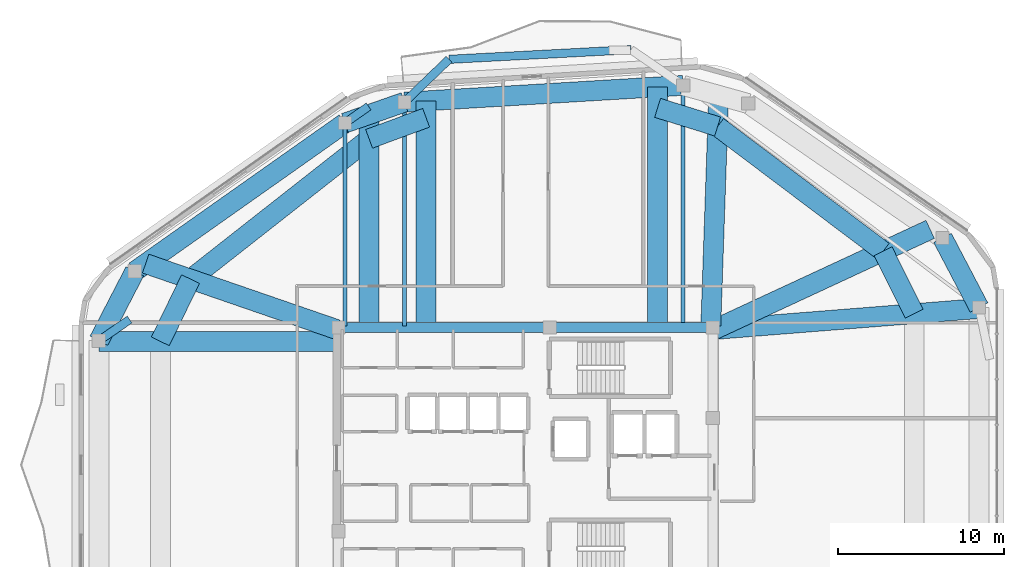
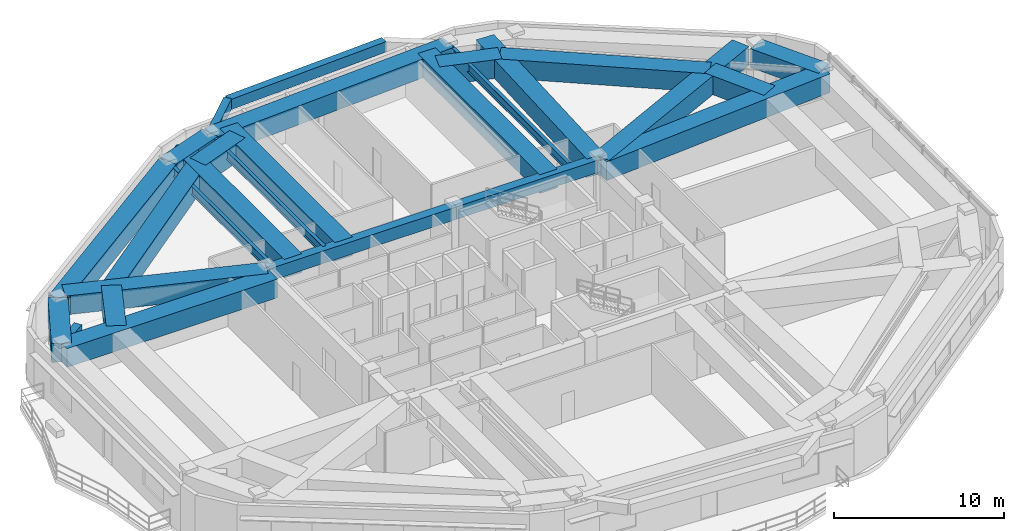
# One storey, part 6 of 15: 28 beams.
"""IFC4 building model written with IfcOpenShell, lengths in metres."""

from ifc_helpers import new_model, si_unit, direction, frame, origin, origin_2d, place, context, subcontext, project, spatial, rectangle, i_section, extrude, material, material_profile, profile_set, type_object, element, save


model = new_model("IFC4")

# Units and contexts
model_context = context("Model", 3, precision=1e-05, world=origin(), true_north=direction((0.0, 1.0)))
body_context = subcontext(model_context, "Body", "Model", "MODEL_VIEW")
ifc_project = project(units=[si_unit("LENGTHUNIT", "METRE"), si_unit("AREAUNIT", "SQUARE_METRE"), si_unit("VOLUMEUNIT", "CUBIC_METRE"), si_unit("PLANEANGLEUNIT", "RADIAN"), si_unit("MASSUNIT", "GRAM", prefix="KILO")], contexts=[model_context])

# Site, building, storey
site_placement = place(None, origin())
site = spatial("IfcSite", under=ifc_project, at=site_placement, CompositionType="ELEMENT")
building_placement = place(site_placement, origin())
building = spatial("IfcBuilding", under=site, at=building_placement, Name="Zulverin Broadcast Headquarters", CompositionType="ELEMENT")
storey_placement = place(building_placement, frame((0.0, 0.0, 270.60009765625)))
storey = spatial("IfcBuildingStorey", under=building, at=storey_placement, Name="L69", CompositionType="ELEMENT", Elevation=270.60009765625)

# Beams
ifc_material_1 = material(Name="Concrete C60/75", Category="concrete")
ifc_material_profile_1 = material_profile(ifc_material_1, rectangle(XDim=0.60009765625, YDim=0.89990234375, at=origin_2d()), Name="Concrete C60/75", Category="concrete")
ifc_profile_set_1 = profile_set([ifc_material_profile_1], Name="Concrete C60/75")
beam_type_1 = type_object("IfcBeamType", Name="BM-CB-600x900", PredefinedType="LINTEL", material=ifc_profile_set_1)
beam_1_placement = place(storey_placement, frame((48.27490234375, 33.074951171875, 3.08984375), z_axis=(-1.0, 0.0, 0.0), x_axis=(0.0, -1.0, 0.0)))
element("IfcBeam", 1, at=beam_1_placement, inside=storey, type_object=beam_type_1, Name="L69 Core Coupling Girder K05-K06", PredefinedType="LINTEL", context=body_context, shape_type="SweptSolid", body=[
    extrude(rectangle(XDim=0.60009765625, YDim=0.89990234375, at=origin_2d()), origin(), (0.0, 0.0, 1.0), 9.824951171875),
])
beam_2_placement = place(storey_placement, frame((38.449951171875, 33.074951171875, 3.08984375), z_axis=(-1.0, 0.0, 0.0), x_axis=(0.0, -1.0, 0.0)))
element("IfcBeam", 2, at=beam_2_placement, inside=storey, type_object=beam_type_1, Name="L69 Core Coupling Girder K06-K07", PredefinedType="LINTEL", context=body_context, shape_type="SweptSolid", body=[
    extrude(rectangle(XDim=0.60009765625, YDim=0.89990234375, at=origin_2d()), origin(), (0.0, 0.0, 1.0), 12.724853515625),
])
ifc_material_2 = material(Name="Concrete C40/50", Category="concrete")
ifc_material_profile_2 = material_profile(ifc_material_2, rectangle(XDim=0.5, YDim=0.75, at=origin_2d()), Name="Concrete C40/50", Category="concrete")
ifc_profile_set_2 = profile_set([ifc_material_profile_2], Name="Concrete C40/50")
beam_type_2 = type_object("IfcBeamType", Name="BM-RC-500x750", PredefinedType="BEAM", material=ifc_profile_set_2)
beam_3_placement = place(storey_placement, frame((26.11474609375, 45.383544921875, 3.164794921875), z_axis=(0.819961805595, 0.572418236402, 0.0), x_axis=(-0.572418236402, 0.819961805595, 0.0)))
element("IfcBeam", 3, at=beam_3_placement, inside=storey, type_object=beam_type_2, Name="L70 Plate Overhang Back-Spanned Beam OVR-11", PredefinedType="BEAM", context=body_context, shape_type="SweptSolid", body=[
    extrude(rectangle(XDim=0.5, YDim=0.75, at=origin_2d()), origin(), (0.0, 0.0, 1.0), 1.74267578125),
])
beam_4_placement = place(storey_placement, frame((11.300048828125, 32.275390625, 3.164794921875), z_axis=(0.823848353758, 0.566810276909, 0.0), x_axis=(-0.566810276909, 0.823848353758, 0.0)))
element("IfcBeam", 4, at=beam_4_placement, inside=storey, type_object=beam_type_2, Name="L70 Plate Overhang Back-Spanned Beam OVR-13", PredefinedType="BEAM", context=body_context, shape_type="SweptSolid", body=[
    extrude(rectangle(XDim=0.5, YDim=0.75, at=origin_2d()), origin(), (0.0, 0.0, 1.0), 2.245361328125),
])
beam_5_placement = place(storey_placement, frame((29.70068359375, 46.64111328125, 3.164794921875), z_axis=(0.721456800664, 0.692459446304, 0.0), x_axis=(-0.692459446304, 0.721456800664, 0.0)))
element("IfcBeam", 5, at=beam_5_placement, inside=storey, type_object=beam_type_2, Name="L70 Balcony Column-Framed Cantilever BAL_N-2", PredefinedType="BEAM", context=body_context, shape_type="SweptSolid", body=[
    extrude(rectangle(XDim=0.5, YDim=0.75, at=origin_2d()), origin(), (0.0, 0.0, 1.0), 3.721435546875),
])
beam_6_placement = place(storey_placement, frame((43.34912109375, 49.7998046875, 3.164794921875), z_axis=(-0.99859500758, -0.052990667447, 0.0), x_axis=(0.052990667447, -0.99859500758, 0.0)))
element("IfcBeam", 6, at=beam_6_placement, inside=storey, type_object=beam_type_2, Name="L70 Balcony Outer Edge Trimmer Beam BAL_N", PredefinedType="BEAM", context=body_context, shape_type="SweptSolid", body=[
    extrude(rectangle(XDim=0.5, YDim=0.75, at=origin_2d()), origin(), (0.0, 0.0, 1.0), 10.97900390625),
])
ifc_material_3 = material(Name="Concrete C50/60", Category="concrete")
ifc_material_profile_3 = material_profile(ifc_material_3, rectangle(XDim=1.199951171875, YDim=1.35009765625, at=origin_2d()), Name="Concrete C50/60", Category="concrete")
ifc_profile_set_3 = profile_set([ifc_material_profile_3], Name="Concrete C50/60")
beam_type_3 = type_object("IfcBeamType", Name="BM-TG-CRN-1350", PredefinedType="USERDEFINED", material=ifc_profile_set_3)
beam_7_placement = place(storey_placement, frame((64.300048828125, 34.275634765625, 2.864990234375), z_axis=(-0.464469748171, 0.885588986513, 0.0), x_axis=(-0.885588986513, -0.464469748171, 0.0)))
element("IfcBeam", 7, at=beam_7_placement, inside=storey, type_object=beam_type_3, Name="L69 Perimeter Transfer Ring Girder SP-06", ObjectType="TRANSFER GIRDER", PredefinedType="USERDEFINED", context=body_context, shape_type="SweptSolid", body=[
    extrude(rectangle(XDim=1.199951171875, YDim=1.35009765625, at=origin_2d()), origin(), (0.0, 0.0, 1.0), 4.730712890625),
])
beam_8_placement = place(storey_placement, frame((46.4814453125, 47.6484375, 2.864990234375), z_axis=(-0.99820314332, -0.059920653088, 0.0), x_axis=(0.059920653088, -0.99820314332, 0.0)))
element("IfcBeam", 8, at=beam_8_placement, inside=storey, type_object=beam_type_3, Name="L69 Perimeter Transfer Ring Girder SP-09", ObjectType="TRANSFER GIRDER", PredefinedType="USERDEFINED", context=body_context, shape_type="SweptSolid", body=[
    extrude(rectangle(XDim=1.199951171875, YDim=1.35009765625, at=origin_2d()), origin(), (0.0, 0.0, 1.0), 16.81103515625),
])
beam_9_placement = place(storey_placement, frame((29.70068359375, 46.64111328125, 2.864990234375), z_axis=(-0.943653845921, -0.330934161243, 0.0), x_axis=(0.330934161243, -0.943653845921, 0.0)))
element("IfcBeam", 9, at=beam_9_placement, inside=storey, type_object=beam_type_3, Name="L69 Perimeter Transfer Ring Girder SP-10", ObjectType="TRANSFER GIRDER", PredefinedType="USERDEFINED", context=body_context, shape_type="SweptSolid", body=[
    extrude(rectangle(XDim=1.199951171875, YDim=1.35009765625, at=origin_2d()), origin(), (0.0, 0.0, 1.0), 3.800048828125),
])
beam_10_placement = place(storey_placement, frame((26.11474609375, 45.383544921875, 2.864990234375), z_axis=(-0.817023806154, -0.576603937012, 0.0), x_axis=(0.576603937012, -0.817023806154, 0.0)))
element("IfcBeam", 10, at=beam_10_placement, inside=storey, type_object=beam_type_3, Name="L69 Perimeter Transfer Ring Girder SP-11", ObjectType="TRANSFER GIRDER", PredefinedType="USERDEFINED", context=body_context, shape_type="SweptSolid", body=[
    extrude(rectangle(XDim=1.199951171875, YDim=1.35009765625, at=origin_2d()), origin(), (0.0, 0.0, 1.0), 15.47998046875),
])
beam_11_placement = place(storey_placement, frame((13.46728515625, 36.457763671875, 2.864990234375), z_axis=(-0.460082658911, -0.887876087621, 0.0), x_axis=(0.887876087621, -0.460082658911, 0.0)))
element("IfcBeam", 11, at=beam_11_placement, inside=storey, type_object=beam_type_3, Name="L69 Perimeter Transfer Ring Girder SP-12", ObjectType="TRANSFER GIRDER", PredefinedType="USERDEFINED", context=body_context, shape_type="SweptSolid", body=[
    extrude(rectangle(XDim=1.199951171875, YDim=1.35009765625, at=origin_2d()), origin(), (0.0, 0.0, 1.0), 4.71044921875),
])
beam_12_placement = place(storey_placement, frame((48.375, 32.949951171875, 2.864990234375), z_axis=(0.9968737095, 0.079011437828, 0.0), x_axis=(-0.079011437828, 0.9968737095, 0.0)))
element("IfcBeam", 12, at=beam_12_placement, inside=storey, type_object=beam_type_3, Name="L70 Step Transfer Girder TG-06", ObjectType="TRANSFER GIRDER", PredefinedType="USERDEFINED", context=body_context, shape_type="SweptSolid", body=[
    extrude(rectangle(XDim=1.199951171875, YDim=1.35009765625, at=origin_2d()), origin(), (0.0, 0.0, 1.0), 15.97509765625),
])
beam_13_placement = place(storey_placement, frame((60.39990234375, 33.903076171875, 2.864990234375), z_axis=(-0.446190250792, 0.894938131995, 0.0), x_axis=(-0.894938131995, -0.446190250792, 0.0)))
element("IfcBeam", 13, at=beam_13_placement, inside=storey, type_object=beam_type_3, Name="L70 Step Transfer Ring Girder TGR-06", ObjectType="TRANSFER GIRDER", PredefinedType="USERDEFINED", context=body_context, shape_type="SweptSolid", body=[
    extrude(rectangle(XDim=1.199951171875, YDim=1.35009765625, at=origin_2d()), origin(), (0.0, 0.0, 1.0), 4.199951171875),
])
beam_14_placement = place(storey_placement, frame((48.375, 32.949951171875, 2.864990234375), z_axis=(0.907043857771, 0.421036150562, 0.0), x_axis=(-0.421036150562, 0.907043857771, 0.0)))
element("IfcBeam", 14, at=beam_14_placement, inside=storey, type_object=beam_type_3, Name="L70 Step Transfer Girder TG-07", ObjectType="TRANSFER GIRDER", PredefinedType="USERDEFINED", context=body_context, shape_type="SweptSolid", body=[
    extrude(rectangle(XDim=1.199951171875, YDim=1.35009765625, at=origin_2d()), origin(), (0.0, 0.0, 1.0), 14.316650390625),
])
beam_15_placement = place(storey_placement, frame((58.52587890625, 37.661865234375, 2.864990234375), z_axis=(-0.798626958847, 0.60182637081, 0.0), x_axis=(-0.60182637081, -0.798626958847, 0.0)))
element("IfcBeam", 15, at=beam_15_placement, inside=storey, type_object=beam_type_3, Name="L70 Step Transfer Ring Girder TGR-07", ObjectType="TRANSFER GIRDER", PredefinedType="USERDEFINED", context=body_context, shape_type="SweptSolid", body=[
    extrude(rectangle(XDim=1.199951171875, YDim=1.35009765625, at=origin_2d()), origin(), (0.0, 0.0, 1.0), 12.47998046875),
])
beam_16_placement = place(storey_placement, frame((48.14990234375, 33.175048828125, 2.864990234375), z_axis=(0.034098262295, 0.999418485174, 0.0), x_axis=(-0.999418485174, 0.034098262295, 0.0)))
element("IfcBeam", 16, at=beam_16_placement, inside=storey, type_object=beam_type_3, Name="L70 Step Transfer Girder TG-08", ObjectType="TRANSFER GIRDER", PredefinedType="USERDEFINED", context=body_context, shape_type="SweptSolid", body=[
    extrude(rectangle(XDim=1.199951171875, YDim=1.35009765625, at=origin_2d()), origin(), (0.0, 0.0, 1.0), 13.883056640625),
])
beam_17_placement = place(storey_placement, frame((48.55908203125, 45.172607421875, 2.864990234375), z_axis=(-0.954893359596, 0.296948938033, 0.0), x_axis=(-0.296948938033, -0.954893359596, 0.0)))
element("IfcBeam", 17, at=beam_17_placement, inside=storey, type_object=beam_type_3, Name="L70 Step Transfer Ring Girder TGR-08", ObjectType="TRANSFER GIRDER", PredefinedType="USERDEFINED", context=body_context, shape_type="SweptSolid", body=[
    extrude(rectangle(XDim=1.199951171875, YDim=1.35009765625, at=origin_2d()), origin(), (0.0, 0.0, 1.0), 3.78515625),
])
beam_18_placement = place(storey_placement, frame((44.944580078125, 33.175048828125, 2.864990234375), z_axis=(0.0, 1.0, 0.0), x_axis=(-1.0, 0.0, 0.0)))
element("IfcBeam", 18, at=beam_18_placement, inside=storey, type_object=beam_type_3, Name="L70 Step Transfer Girder TG-09", ObjectType="TRANSFER GIRDER", PredefinedType="USERDEFINED", context=body_context, shape_type="SweptSolid", body=[
    extrude(rectangle(XDim=1.199951171875, YDim=1.35009765625, at=origin_2d()), origin(), (0.0, 0.0, 1.0), 14.381103515625),
])
beam_19_placement = place(storey_placement, frame((31.006591796875, 33.175048828125, 2.864990234375), z_axis=(0.0, 1.0, 0.0), x_axis=(-1.0, 0.0, 0.0)))
element("IfcBeam", 19, at=beam_19_placement, inside=storey, type_object=beam_type_3, Name="L70 Step Transfer Girder TG-10", ObjectType="TRANSFER GIRDER", PredefinedType="USERDEFINED", context=body_context, shape_type="SweptSolid", body=[
    extrude(rectangle(XDim=1.199951171875, YDim=1.35009765625, at=origin_2d()), origin(), (0.0, 0.0, 1.0), 13.54443359375),
])
beam_20_placement = place(storey_placement, frame((31.006591796875, 45.699951171875, 2.864990234375), z_axis=(-0.937860540342, -0.347012401607, 0.0), x_axis=(0.347012401607, -0.937860540342, 0.0)))
element("IfcBeam", 20, at=beam_20_placement, inside=storey, type_object=beam_type_3, Name="L70 Step Transfer Ring Girder TGR-10", ObjectType="TRANSFER GIRDER", PredefinedType="USERDEFINED", context=body_context, shape_type="SweptSolid", body=[
    extrude(rectangle(XDim=1.199951171875, YDim=1.35009765625, at=origin_2d()), origin(), (0.0, 0.0, 1.0), 3.66064453125),
])
beam_21_placement = place(storey_placement, frame((27.573486328125, 33.175048828125, 2.864990234375), z_axis=(0.0, 1.0, 0.0), x_axis=(-1.0, 0.0, 0.0)))
element("IfcBeam", 21, at=beam_21_placement, inside=storey, type_object=beam_type_3, Name="L70 Step Transfer Girder TG-11", ObjectType="TRANSFER GIRDER", PredefinedType="USERDEFINED", context=body_context, shape_type="SweptSolid", body=[
    extrude(rectangle(XDim=1.199951171875, YDim=1.35009765625, at=origin_2d()), origin(), (0.0, 0.0, 1.0), 12.719970703125),
])
beam_22_placement = place(storey_placement, frame((27.573486328125, 44.4296875, 2.864990234375), z_axis=(-0.786388352061, -0.617732433779, 0.0), x_axis=(0.617732433779, -0.786388352061, 0.0)))
element("IfcBeam", 22, at=beam_22_placement, inside=storey, type_object=beam_type_3, Name="L70 Step Transfer Ring Girder TGR-11", ObjectType="TRANSFER GIRDER", PredefinedType="USERDEFINED", context=body_context, shape_type="SweptSolid", body=[
    extrude(rectangle(XDim=1.199951171875, YDim=1.35009765625, at=origin_2d()), origin(), (0.0, 0.0, 1.0), 13.67236328125),
])
beam_23_placement = place(storey_placement, frame((25.625, 32.949951171875, 2.864990234375), z_axis=(-0.945431580434, 0.32582069719, 0.0), x_axis=(-0.32582069719, -0.945431580434, 0.0)))
element("IfcBeam", 23, at=beam_23_placement, inside=storey, type_object=beam_type_3, Name="L70 Step Transfer Girder TG-12", ObjectType="TRANSFER GIRDER", PredefinedType="USERDEFINED", context=body_context, shape_type="SweptSolid", body=[
    extrude(rectangle(XDim=1.199951171875, YDim=1.35009765625, at=origin_2d()), origin(), (0.0, 0.0, 1.0), 12.172607421875),
])
beam_24_placement = place(storey_placement, frame((16.82177734375, 35.98388671875, 2.864990234375), z_axis=(-0.437178884994, -0.899374572976, 0.0), x_axis=(0.899374572976, -0.437178884994, 0.0)))
element("IfcBeam", 24, at=beam_24_placement, inside=storey, type_object=beam_type_3, Name="L70 Step Transfer Ring Girder TGR-12", ObjectType="TRANSFER GIRDER", PredefinedType="USERDEFINED", context=body_context, shape_type="SweptSolid", body=[
    extrude(rectangle(XDim=1.199951171875, YDim=1.35009765625, at=origin_2d()), origin(), (0.0, 0.0, 1.0), 4.167236328125),
])
beam_25_placement = place(storey_placement, frame((25.625, 32.236083984375, 2.864990234375), z_axis=(-1.0, 0.0, 0.0), x_axis=(0.0, -1.0, 0.0)))
element("IfcBeam", 25, at=beam_25_placement, inside=storey, type_object=beam_type_3, Name="L70 Step Transfer Girder TG-13", ObjectType="TRANSFER GIRDER", PredefinedType="USERDEFINED", context=body_context, shape_type="SweptSolid", body=[
    extrude(rectangle(XDim=1.199951171875, YDim=1.35009765625, at=origin_2d()), origin(), (0.0, 0.0, 1.0), 14.324951171875),
])
ifc_material_4 = material(Name="Structural steel S355JR", Category="steel")
ifc_material_profile_4 = material_profile(ifc_material_4, i_section(OverallWidth=0.230224609375, OverallDepth=0.6171875, WebThickness=0.01318359375, FlangeThickness=0.022216796875, at=origin_2d()), Name="Structural steel S355JR", Category="steel")
ifc_profile_set_4 = profile_set([ifc_material_profile_4], Name="Structural steel S355JR")
beam_type_4 = type_object("IfcBeamType", Name="BM-UB-610", PredefinedType="BEAM", material=ifc_profile_set_4)
beam_26_placement = place(storey_placement, frame((46.4814453125, 33.175048828125, 3.231201171875), z_axis=(0.0, 1.0, 0.0), x_axis=(-1.0, 0.0, 0.0)))
element("IfcBeam", 26, at=beam_26_placement, inside=storey, type_object=beam_type_4, Name="L69 Radial Primary Floor Beam RB-09", PredefinedType="BEAM", context=body_context, shape_type="SweptSolid", body=[
    extrude(i_section(OverallWidth=0.230224609375, OverallDepth=0.6171875, WebThickness=0.01318359375, FlangeThickness=0.022216796875, at=origin_2d()), origin(), (0.0, 0.0, 1.0), 14.473388671875),
])
beam_27_placement = place(storey_placement, frame((29.70068359375, 33.175048828125, 3.231201171875), z_axis=(0.0, 1.0, 0.0), x_axis=(-1.0, 0.0, 0.0)))
element("IfcBeam", 27, at=beam_27_placement, inside=storey, type_object=beam_type_4, Name="L69 Radial Primary Floor Beam RB-10", PredefinedType="BEAM", context=body_context, shape_type="SweptSolid", body=[
    extrude(i_section(OverallWidth=0.230224609375, OverallDepth=0.6171875, WebThickness=0.01318359375, FlangeThickness=0.022216796875, at=origin_2d()), origin(), (0.0, 0.0, 1.0), 13.466064453125),
])
beam_28_placement = place(storey_placement, frame((26.11474609375, 33.175048828125, 3.231201171875), z_axis=(0.0, 1.0, 0.0), x_axis=(-1.0, 0.0, 0.0)))
element("IfcBeam", 28, at=beam_28_placement, inside=storey, type_object=beam_type_4, Name="L69 Radial Primary Floor Beam RB-11", PredefinedType="BEAM", context=body_context, shape_type="SweptSolid", body=[
    extrude(i_section(OverallWidth=0.230224609375, OverallDepth=0.6171875, WebThickness=0.01318359375, FlangeThickness=0.022216796875, at=origin_2d()), origin(), (0.0, 0.0, 1.0), 12.20849609375),
])

save(model, "model.ifc")
